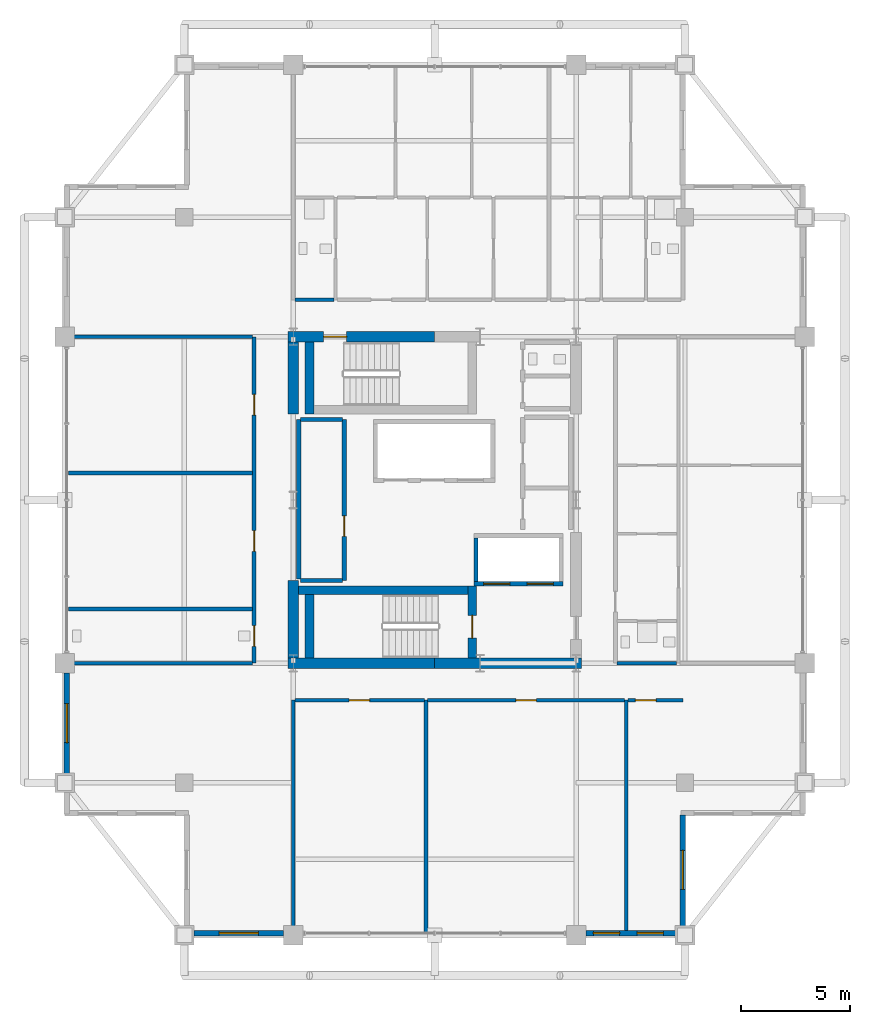
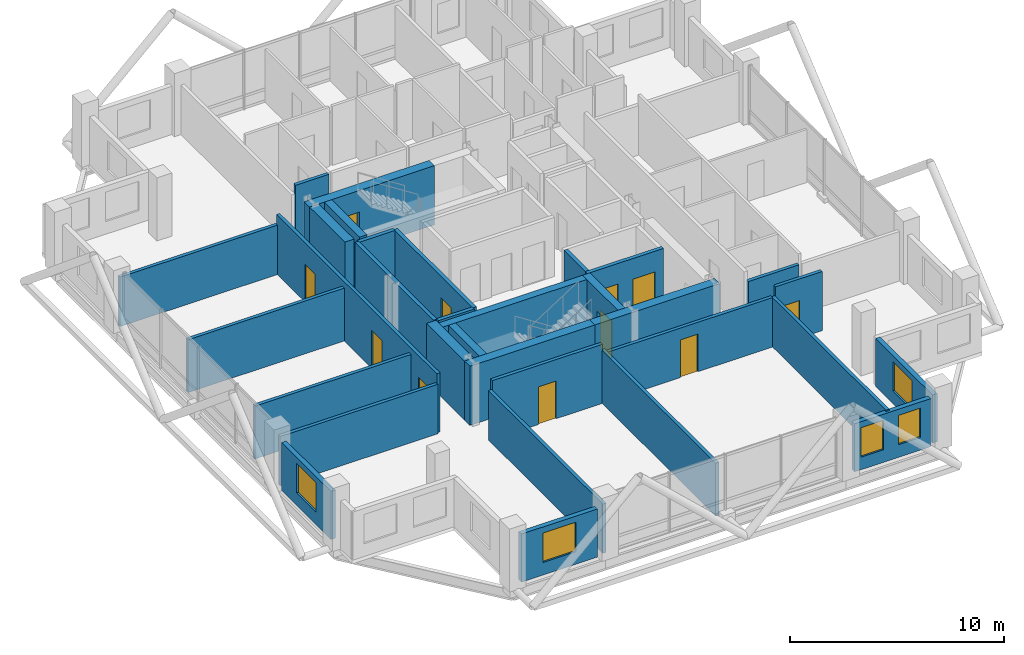
# One storey, part 19 of 24: 32 walls, 11 doors, 5 windows, 16 openings.
"""IFC4 building model written with IfcOpenShell, lengths in metres."""

import ifcopenshell
import ifcopenshell.guid

model = None  # the IFC model being written
_history = None  # IfcOwnerHistory: only IFC2X3 demands one
_inside = {}  # id of a spatial element -> (the spatial element, [elements in it])
_under = {}  # id of a project, library or spatial element -> (it, [spatial elements below it])
_declared = {}  # id of a project -> (the project, [libraries it declares])
_typed = {}  # id of a type object -> (the type object, [elements of that type])
_made_of = {}  # id of a material, layer set ... -> (it, [elements and type objects made of it])


def new_model(schema):
    """Start an empty IFC model of exactly this schema.

    Asked for "IFC4X3", IfcOpenShell would pick the latest addendum, in which some entities
    have other attributes; the version numbers below select the first issue.
    IFC2X3 requires an IfcOwnerHistory on every rooted entity: one is made here for all.
    """
    global model, _history
    if schema == "IFC4X3":
        model = ifcopenshell.file(schema_version=(4, 3, 0, 0))
    else:
        model = ifcopenshell.file(schema=schema)
    _inside.clear()
    _under.clear()
    _declared.clear()
    _typed.clear()
    _made_of.clear()
    _history = None
    if model.schema == "IFC2X3":
        org = make("IfcOrganization", Name="unknown")
        user = make(
            "IfcPersonAndOrganization",
            ThePerson=make("IfcPerson", FamilyName="unknown"),
            TheOrganization=org,
        )
        app = make(
            "IfcApplication",
            ApplicationDeveloper=org,
            Version="unknown",
            ApplicationFullName="unknown",
            ApplicationIdentifier="unknown",
        )
        _history = make(
            "IfcOwnerHistory",
            OwningUser=user,
            OwningApplication=app,
            ChangeAction="ADDED",
            CreationDate=0,
        )
    return model


def make(cls, **values):
    """One entity of the class cls with the attributes given. An attribute that is None is left unset."""
    return model.create_entity(
        cls, **{name: value for name, value in values.items() if value is not None}
    )


def rooted(cls, **values):
    """An entity with a GlobalId (a new one), such as an element, a storey or a relation."""
    return make(cls, GlobalId=ifcopenshell.guid.new(), OwnerHistory=_history, **values)


def si_unit(unit_type, name, prefix=None):
    """IfcSIUnit, for example si_unit("LENGTHUNIT", "METRE", prefix="MILLI")."""
    return make("IfcSIUnit", UnitType=unit_type, Prefix=prefix, Name=name)


def assignment(units):
    """IfcUnitAssignment: the units of a project."""
    return None if units is None else make("IfcUnitAssignment", Units=units)


def point(xyz):
    """IfcCartesianPoint."""
    return None if xyz is None else make("IfcCartesianPoint", Coordinates=xyz)


def direction(xyz):
    """IfcDirection."""
    return None if xyz is None else make("IfcDirection", DirectionRatios=xyz)


def frame(location, z_axis=None, x_axis=None):
    """IfcAxis2Placement3D, a coordinate frame: its origin and axes. An axis left out is left unset."""
    return make(
        "IfcAxis2Placement3D",
        Location=point(location),
        Axis=direction(z_axis),
        RefDirection=direction(x_axis),
    )


def frame_2d(location, x_axis=None):
    """IfcAxis2Placement2D, a coordinate frame in the plane: its origin and x axis."""
    return make(
        "IfcAxis2Placement2D", Location=point(location), RefDirection=direction(x_axis)
    )


def origin():
    """The frame at (0, 0, 0) with its axes left unset."""
    return frame((0.0, 0.0, 0.0))


def place(relative_to, where):
    """IfcLocalPlacement: puts the frame where relative to a parent placement (None: the world)."""
    return make(
        "IfcLocalPlacement", PlacementRelTo=relative_to, RelativePlacement=where
    )


def context(
    kind, dimensions, precision=None, world=None, true_north=None, identifier=None
):
    """IfcGeometricRepresentationContext, for example the 3D "Model" context."""
    return make(
        "IfcGeometricRepresentationContext",
        ContextIdentifier=identifier,
        ContextType=kind,
        CoordinateSpaceDimension=dimensions,
        Precision=precision,
        WorldCoordinateSystem=world,
        TrueNorth=true_north,
    )


def subcontext(parent, identifier, kind, view, scale=None):
    """IfcGeometricRepresentationSubContext, for example "Body" below "Model"."""
    return make(
        "IfcGeometricRepresentationSubContext",
        ContextIdentifier=identifier,
        ContextType=kind,
        ParentContext=parent,
        TargetScale=scale,
        TargetView=view,
    )


def project(units=None, contexts=None):
    """IfcProject with its units and contexts."""
    return rooted(
        "IfcProject",
        Name="project",
        RepresentationContexts=contexts,
        UnitsInContext=assignment(units),
    )


def spatial(cls, under=None, at=None, **own):
    """A site, building, storey or space (cls), placed at a placement, below another one or the project."""
    s = rooted(cls, ObjectPlacement=at, **own)
    if under is not None:
        _under.setdefault(under.id(), (under, []))[1].append(s)
    return s


def profile(cls, at=None, kind="AREA", **sizes):
    """A parametric profile (cls). Its sizes go by their IFC names, for example OverallWidth=200.0."""
    return make(cls, ProfileType=kind, Position=at, **sizes)


def rectangle(**sizes):
    """IfcRectangleProfileDef."""
    return profile("IfcRectangleProfileDef", **sizes)


def extrude(swept, where, along, depth):
    """IfcExtrudedAreaSolid: the profile swept, set in the frame where, extruded along a direction by depth."""
    return make(
        "IfcExtrudedAreaSolid",
        SweptArea=swept,
        Position=where,
        ExtrudedDirection=direction(along),
        Depth=depth,
    )


def shape(context_of_items, identifier, shape_type, items):
    """IfcShapeRepresentation: the items that make up one representation, for example the "Body"."""
    return make(
        "IfcShapeRepresentation",
        ContextOfItems=context_of_items,
        RepresentationIdentifier=identifier,
        RepresentationType=shape_type,
        Items=items,
    )


def material(Name=None, Category=None):
    """IfcMaterial."""
    return make("IfcMaterial", Name=Name, Category=Category)


def layer(
    of_material, thickness, ventilated=None, Name=None, Category=None, Priority=None
):
    """IfcMaterialLayer: one layer of a wall or slab, of a material (None: an air gap)."""
    return make(
        "IfcMaterialLayer",
        Material=of_material,
        LayerThickness=thickness,
        IsVentilated=ventilated,
        Name=Name,
        Category=Category,
        Priority=Priority,
    )


def layer_set(layers, Name=None):
    """IfcMaterialLayerSet."""
    return make("IfcMaterialLayerSet", MaterialLayers=layers, LayerSetName=Name)


def made_of(thing, what):
    """Note that an element or type object is made of a material, layer set ...; save() writes the relation."""
    if what is not None:
        _made_of.setdefault(what.id(), (what, []))[1].append(thing)
    return thing


def type_object(cls, material=None, **own):
    """A type object (cls), such as IfcWallType, which elements share."""
    return made_of(rooted(cls, **own), material)


def element(
    cls,
    number,
    at=None,
    inside=None,
    cuts=None,
    type_object=None,
    material=None,
    context=None,
    identifier="Body",
    shape_type=None,
    held_by="IfcProductDefinitionShape",
    body=None,
    shapes=None,
    **own,
):
    """One element of the class cls, such as IfcWall. Its Tag is "e" and its number.

    at: its placement. inside: the storey or other place that contains it. cuts: it is an
    opening in that element (IfcRelVoidsElement). A single representation is given by context,
    identifier, shape_type and body (its items); several are given by shapes. held_by: the class
    of the entity that holds the representations. save() writes the other relations.
    """
    e = rooted(cls, Tag="e%d" % number, ObjectPlacement=at, **own)
    if body is not None:
        shapes = [shape(context, identifier, shape_type, body)]
    if shapes is not None:
        e.Representation = make(held_by, Representations=shapes)
    if inside is not None:
        _inside.setdefault(inside.id(), (inside, []))[1].append(e)
    if cuts is not None:
        rooted(
            "IfcRelVoidsElement", RelatingBuildingElement=cuts, RelatedOpeningElement=e
        )
    if type_object is not None:
        _typed.setdefault(type_object.id(), (type_object, []))[1].append(e)
    return made_of(e, material)


def fill(opening, filler):
    """IfcRelFillsElement: the door or window that sits in an opening."""
    return rooted(
        "IfcRelFillsElement",
        RelatingOpeningElement=opening,
        RelatedBuildingElement=filler,
    )


def aggregate(whole, parts):
    """IfcRelAggregates: a whole, such as a stair, and the parts it consists of."""
    return rooted("IfcRelAggregates", RelatingObject=whole, RelatedObjects=parts)


def save(model, path):
    """Write the relations noted so far, then the file.

    IfcRelAggregates (storeys below a building ...), IfcRelContainedInSpatialStructure (elements
    in a storey), IfcRelDefinesByType, IfcRelAssociatesMaterial and IfcRelDeclares: one each for
    every whole, place, type object, material and project.
    """
    for whole, parts in _under.values():
        aggregate(whole, parts)
    for where, things in _inside.values():
        rooted(
            "IfcRelContainedInSpatialStructure",
            RelatedElements=things,
            RelatingStructure=where,
        )
    for kind, things in _typed.values():
        rooted("IfcRelDefinesByType", RelatedObjects=things, RelatingType=kind)
    for what, things in _made_of.values():
        rooted("IfcRelAssociatesMaterial", RelatedObjects=things, RelatingMaterial=what)
    for by, libraries in _declared.values():
        rooted("IfcRelDeclares", RelatingContext=by, RelatedDefinitions=libraries)
    model.write(path)


model = new_model("IFC4")

# Units and contexts
model_context = context("Model", 3, precision=1e-05, world=origin(), true_north=direction((0.0, 1.0)))
body_context = subcontext(model_context, "Body", "Model", "MODEL_VIEW")
ifc_project = project(units=[si_unit("LENGTHUNIT", "METRE"), si_unit("AREAUNIT", "SQUARE_METRE"), si_unit("VOLUMEUNIT", "CUBIC_METRE"), si_unit("PLANEANGLEUNIT", "RADIAN"), si_unit("MASSUNIT", "GRAM", prefix="KILO")], contexts=[model_context])

# Site, building, storey
site_placement = place(None, origin())
site = spatial("IfcSite", under=ifc_project, at=site_placement, CompositionType="ELEMENT")
building_placement = place(site_placement, origin())
building = spatial("IfcBuilding", under=site, at=building_placement, Name="Barlavira Tower and Art Museum", CompositionType="ELEMENT")
storey_placement = place(building_placement, frame((0.0, 0.0, 283.5)))
storey = spatial("IfcBuildingStorey", under=building, at=storey_placement, Name="L74", CompositionType="ELEMENT", Elevation=283.5)

# Walls
ifc_material_1 = material(Name="Concrete C60", Category="concrete")
ifc_layer_1 = layer(ifc_material_1, 0.5, Name="Concrete C60")
ifc_layer_set_1 = layer_set([ifc_layer_1], Name="Concrete C60")
wall_type_1 = type_object("IfcWallType", Name="Core Structural Shear Wall 500 Concrete C60", PredefinedType="SHEAR", material=ifc_layer_set_1)
for number, where, z_axis, x_axis, name in (
    (1, (-6.75, -7.5, 0.0), (0.0, 0.0, 1.0), (1.0, 0.0, 0.0), "L74 Core Shear Wall CS-SW"),
    (2, (0.0, -7.5, 0.0), (0.0, 0.0, 1.0), (1.0, 0.0, 0.0), "L74 Core Shear Wall CS-SE"),
):
    element("IfcWall", number, at=place(storey_placement, frame(where, z_axis=z_axis, x_axis=x_axis)), inside=storey, type_object=wall_type_1, Name=name, PredefinedType="SHEAR", context=body_context, shape_type="SweptSolid", body=[
        extrude(rectangle(XDim=6.75, YDim=0.5, at=frame_2d((3.375, 0.0))), origin(), (0.0, 0.0, 1.0), 3.3798828125),
    ])

# Wall, opening, door
wall_1_placement = place(storey_placement, frame((-6.75, 7.5, 0.0), z_axis=(0.0, 0.0, 1.0), x_axis=(1.0, 0.0, 0.0)))
wall_1 = element("IfcWall", 3, at=wall_1_placement, inside=storey, type_object=wall_type_1, Name="L74 Core Shear Wall CS-NW", PredefinedType="SHEAR", context=body_context, shape_type="SweptSolid", body=[
    extrude(rectangle(XDim=6.75, YDim=0.5, at=frame_2d((3.375, 0.0))), origin(), (0.0, 0.0, 1.0), 3.3798828125),
])
opening_1_placement = place(wall_1_placement, frame((1.64990234375, 0.0, 0.0)))
opening_1 = element("IfcOpeningElement", 4, at=opening_1_placement, cuts=wall_1, Name="Opening FD-90", PredefinedType="OPENING", context=body_context, shape_type="SweptSolid", body=[
    extrude(rectangle(XDim=1.050048828125, YDim=2.14990234375, at=frame_2d((0.52490234375, 1.074951171875))), frame((0.0, 0.260009765625, 0.0), z_axis=(0.0, -1.0, 0.0), x_axis=(1.0, 0.0, 0.0)), (0.0, 0.0, 1.0), 0.52001953125),
])
ifc_material_2 = material(Name="Brushed stainless steel", Category="steel")
door_type_1 = type_object("IfcDoorType", Name="Stair and Refuge Fire Door 1050x2150 FD90S", OperationType="NOTDEFINED", PredefinedType="DOOR", material=ifc_material_2)
door_1_placement = place(opening_1_placement, origin())
door_1 = element("IfcDoor", 5, at=door_1_placement, inside=storey, type_object=door_type_1, Name="L74 Stair ST-T2 Fire Door", OperationType="SINGLE_SWING_LEFT", OverallHeight=2.14990234375, OverallWidth=1.050048828125, PredefinedType="DOOR", context=body_context, shape_type="SweptSolid", body=[
    extrude(rectangle(XDim=1.050048828125, YDim=2.14990234375, at=frame_2d((0.52490234375, 1.074951171875))), frame((0.0, 0.02490234375, 0.0), z_axis=(0.0, -1.0, 0.0), x_axis=(1.0, 0.0, 0.0)), (0.0, 0.0, 1.0), 0.050048828125),
])
fill(opening_1, door_1)

# Walls
wall_2_placement = place(storey_placement, frame((-6.5, -7.25, 0.0), z_axis=(0.0, 0.0, 1.0), x_axis=(0.0, 1.0, 0.0)))
element("IfcWall", 6, at=wall_2_placement, inside=storey, type_object=wall_type_1, Name="L74 Core Shear Wall CS-W1", PredefinedType="SHEAR", context=body_context, shape_type="SweptSolid", body=[
    extrude(rectangle(XDim=3.550048828125, YDim=0.5, at=frame_2d((1.77490234375, 0.0))), origin(), (0.0, 0.0, 1.0), 3.3798828125),
])
wall_3_placement = place(storey_placement, frame((-6.5, 3.949951171875, 0.0), z_axis=(0.0, 0.0, 1.0), x_axis=(0.0, 1.0, 0.0)))
element("IfcWall", 7, at=wall_3_placement, inside=storey, type_object=wall_type_1, Name="L74 Core Shear Wall CS-W2", PredefinedType="SHEAR", context=body_context, shape_type="SweptSolid", body=[
    extrude(rectangle(XDim=3.300048828125, YDim=0.5, at=frame_2d((1.64990234375, 0.0))), origin(), (0.0, 0.0, 1.0), 3.3798828125),
])

# Wall, openings, doors
ifc_material_3 = material(Name="Autoclaved aerated concrete masonry", Category="masonry")
ifc_layer_2 = layer(ifc_material_3, 0.199951171875, Name="Autoclaved aerated concrete masonry")
ifc_layer_set_2 = layer_set([ifc_layer_2], Name="Autoclaved aerated concrete masonry")
wall_type_2 = type_object("IfcWallType", Name="Fire Compartment and Shaft Wall 200", PredefinedType="SOLIDWALL", material=ifc_layer_set_2)
wall_4_placement = place(storey_placement, frame((1.800048828125, -3.85009765625, 0.0), z_axis=(0.0, 0.0, 1.0), x_axis=(1.0, 0.0, 0.0)))
wall_4 = element("IfcWall", 8, at=wall_4_placement, inside=storey, type_object=wall_type_2, Name="L74 Firefighting Lift Front Shaft Wall", PredefinedType="SOLIDWALL", context=body_context, shape_type="SweptSolid", body=[
    extrude(rectangle(XDim=4.099853515625, YDim=0.199951171875, at=frame_2d((2.0498046875, 0.0))), origin(), (0.0, 0.0, 1.0), 3.3798828125),
])
opening_2_placement = place(wall_4_placement, frame((0.449951171875, 0.0, 0.0)))
opening_2 = element("IfcOpeningElement", 9, at=opening_2_placement, cuts=wall_4, Name="Opening LD-F", PredefinedType="OPENING", context=body_context, shape_type="SweptSolid", body=[
    extrude(rectangle(XDim=1.199951171875, YDim=2.199951171875, at=frame_2d((0.60009765625, 1.10009765625))), frame((0.0, 0.10986328125, 0.0), z_axis=(0.0, -1.0, 0.0), x_axis=(1.0, 0.0, 0.0)), (0.0, 0.0, 1.0), 0.219970703125),
])
opening_3_placement = place(wall_4_placement, frame((2.449951171875, 0.0, 0.0)))
opening_3 = element("IfcOpeningElement", 10, at=opening_3_placement, cuts=wall_4, Name="Opening LD-F", PredefinedType="OPENING", context=body_context, shape_type="SweptSolid", body=[
    extrude(rectangle(XDim=1.199951171875, YDim=2.199951171875, at=frame_2d((0.60009765625, 1.10009765625))), frame((0.0, 0.10986328125, 0.0), z_axis=(0.0, -1.0, 0.0), x_axis=(1.0, 0.0, 0.0)), (0.0, 0.0, 1.0), 0.219970703125),
])
door_type_2 = type_object("IfcDoorType", Name="Firefighting and Service Lift Sliding Door 1200x2200 FD120", OperationType="NOTDEFINED", PredefinedType="DOOR", material=ifc_material_2)
door_2_placement = place(opening_2_placement, origin())
door_2 = element("IfcDoor", 11, at=door_2_placement, inside=storey, type_object=door_type_2, Name="L74 Firefighting Lift FF1 Sliding Door", OperationType="DOUBLE_DOOR_SLIDING", OverallHeight=2.199951171875, OverallWidth=1.199951171875, PredefinedType="DOOR", context=body_context, shape_type="SweptSolid", body=[
    extrude(rectangle(XDim=1.199951171875, YDim=2.199951171875, at=frame_2d((0.60009765625, 1.10009765625))), frame((0.0, 0.02490234375, 0.0), z_axis=(0.0, -1.0, 0.0), x_axis=(1.0, 0.0, 0.0)), (0.0, 0.0, 1.0), 0.050048828125),
])
fill(opening_2, door_2)
door_3_placement = place(opening_3_placement, origin())
door_3 = element("IfcDoor", 12, at=door_3_placement, inside=storey, type_object=door_type_2, Name="L74 Firefighting Lift FF2 Sliding Door", OperationType="DOUBLE_DOOR_SLIDING", OverallHeight=2.199951171875, OverallWidth=1.199951171875, PredefinedType="DOOR", context=body_context, shape_type="SweptSolid", body=[
    extrude(rectangle(XDim=1.199951171875, YDim=2.199951171875, at=frame_2d((0.60009765625, 1.10009765625))), frame((0.0, 0.02490234375, 0.0), z_axis=(0.0, -1.0, 0.0), x_axis=(1.0, 0.0, 0.0)), (0.0, 0.0, 1.0), 0.050048828125),
])
fill(opening_3, door_3)

# Walls
wall_5_placement = place(storey_placement, frame((1.89990234375, -3.75, 0.0), z_axis=(0.0, 0.0, 1.0), x_axis=(0.0, 1.0, 0.0)))
element("IfcWall", 13, at=wall_5_placement, inside=storey, type_object=wall_type_2, Name="L74 Firefighting Lift West Shaft Wall", PredefinedType="SOLIDWALL", context=body_context, shape_type="SweptSolid", body=[
    extrude(rectangle(XDim=2.0, YDim=0.199951171875, at=frame_2d((1.0, 0.0))), origin(), (0.0, 0.0, 1.0), 3.3798828125),
])
wall_6_placement = place(storey_placement, frame((-6.25, -3.639892578125, 0.0), z_axis=(0.0, 0.0, 1.0), x_axis=(0.0, 1.0, 0.0)))
element("IfcWall", 14, at=wall_6_placement, inside=storey, type_object=wall_type_2, Name="L74 Partition Wall 4", PredefinedType="SOLIDWALL", context=body_context, shape_type="SweptSolid", body=[
    extrude(rectangle(XDim=7.33984375, YDim=0.199951171875, at=frame_2d((3.669921875, 0.0))), origin(), (0.0, 0.0, 1.0), 3.3798828125),
])

# Wall, opening, door
wall_7_placement = place(storey_placement, frame((-4.14990234375, -3.699951171875, 0.0), z_axis=(0.0, 0.0, 1.0), x_axis=(0.0, 1.0, 0.0)))
wall_7 = element("IfcWall", 15, at=wall_7_placement, inside=storey, type_object=wall_type_2, Name="L74 Partition Wall 6", PredefinedType="SOLIDWALL", context=body_context, shape_type="SweptSolid", body=[
    extrude(rectangle(XDim=7.39990234375, YDim=0.199951171875, at=frame_2d((3.699951171875, 0.0))), origin(), (0.0, 0.0, 1.0), 3.3798828125),
])
opening_4_placement = place(wall_7_placement, frame((2.02490234375, 0.0, 0.0)))
opening_4 = element("IfcOpeningElement", 16, at=opening_4_placement, cuts=wall_7, Name="Opening FD-60", PredefinedType="OPENING", context=body_context, shape_type="SweptSolid", body=[
    extrude(rectangle(XDim=0.949951171875, YDim=2.14990234375, at=frame_2d((0.47509765625, 1.074951171875))), frame((0.0, 0.10986328125, 0.0), z_axis=(0.0, -1.0, 0.0), x_axis=(1.0, 0.0, 0.0)), (0.0, 0.0, 1.0), 0.219970703125),
])
door_type_3 = type_object("IfcDoorType", Name="Apartment Entrance and Riser Fire Door 950x2150 FD60S", OperationType="NOTDEFINED", PredefinedType="DOOR", material=ifc_material_2)
door_4_placement = place(opening_4_placement, origin())
door_4 = element("IfcDoor", 17, at=door_4_placement, inside=storey, type_object=door_type_3, Name="Reclaimed Core Tenant Storage Vault Door", OperationType="SINGLE_SWING_RIGHT", OverallHeight=2.14990234375, OverallWidth=0.949951171875, PredefinedType="DOOR", context=body_context, shape_type="SweptSolid", body=[
    extrude(rectangle(XDim=0.949951171875, YDim=2.14990234375, at=frame_2d((0.47509765625, 1.074951171875))), frame((0.0, 0.02490234375, 0.0), z_axis=(0.0, -1.0, 0.0), x_axis=(1.0, 0.0, 0.0)), (0.0, 0.0, 1.0), 0.050048828125),
])
fill(opening_4, door_4)

# Walls
for number, where, z_axis, x_axis, name in (
    (18, (-6.169921875, -3.699951171875, 0.0), (0.0, 0.0, 1.0), (1.0, 0.0, 0.0), "L74 Partition Wall 31"),
    (19, (-6.169921875, 3.699951171875, 0.0), (0.0, 0.0, 1.0), (1.0, 0.0, 0.0), "L74 Partition Wall 37"),
):
    element("IfcWall", number, at=place(storey_placement, frame(where, z_axis=z_axis, x_axis=x_axis)), inside=storey, type_object=wall_type_2, Name=name, PredefinedType="SOLIDWALL", context=body_context, shape_type="SweptSolid", body=[
        extrude(rectangle(XDim=1.93994140625, YDim=0.199951171875, at=frame_2d((0.969970703125, 0.0))), origin(), (0.0, 0.0, 1.0), 3.3798828125),
    ])

# Wall, openings, doors
ifc_material_4 = material(Name="Gypsum acoustic stud partition", Category="gypsum")
ifc_layer_3 = layer(ifc_material_4, 0.179931640625, Name="Gypsum acoustic stud partition")
ifc_layer_set_3 = layer_set([ifc_layer_3], Name="Gypsum acoustic stud partition")
wall_type_3 = type_object("IfcWallType", Name="Inter-Tenancy Party Partition Wall 180", PredefinedType="PARTITIONING", material=ifc_layer_set_3)
wall_8_placement = place(storey_placement, frame((-8.300048828125, -7.5, 0.0), z_axis=(0.0, 0.0, 1.0), x_axis=(0.0, 1.0, 0.0)))
wall_8 = element("IfcWall", 20, at=wall_8_placement, inside=storey, type_object=wall_type_3, Name="L74 Partition Wall 1", PredefinedType="PARTITIONING", context=body_context, shape_type="SweptSolid", body=[
    extrude(rectangle(XDim=15.0, YDim=0.179931640625, at=frame_2d((7.5, 0.0))), origin(), (0.0, 0.0, 1.0), 3.3798828125),
])
opening_5_placement = place(wall_8_placement, frame((0.77490234375, 0.0, 0.0)))
opening_5 = element("IfcOpeningElement", 21, at=opening_5_placement, cuts=wall_8, Name="Opening FD-60", PredefinedType="OPENING", context=body_context, shape_type="SweptSolid", body=[
    extrude(rectangle(XDim=0.949951171875, YDim=2.14990234375, at=frame_2d((0.47509765625, 1.074951171875))), frame((0.0, 0.10009765625, 0.0), z_axis=(0.0, -1.0, 0.0), x_axis=(1.0, 0.0, 0.0)), (0.0, 0.0, 1.0), 0.199951171875),
])
opening_6_placement = place(wall_8_placement, frame((5.14501953125, 0.0, 0.0)))
opening_6 = element("IfcOpeningElement", 22, at=opening_6_placement, cuts=wall_8, Name="Opening FD-60", PredefinedType="OPENING", context=body_context, shape_type="SweptSolid", body=[
    extrude(rectangle(XDim=0.949951171875, YDim=2.14990234375, at=frame_2d((0.47509765625, 1.074951171875))), frame((0.0, 0.10009765625, 0.0), z_axis=(0.0, -1.0, 0.0), x_axis=(1.0, 0.0, 0.0)), (0.0, 0.0, 1.0), 0.199951171875),
])
opening_7_placement = place(wall_8_placement, frame((11.405029296875, 0.0, 0.0)))
opening_7 = element("IfcOpeningElement", 23, at=opening_7_placement, cuts=wall_8, Name="Opening FD-60", PredefinedType="OPENING", context=body_context, shape_type="SweptSolid", body=[
    extrude(rectangle(XDim=0.949951171875, YDim=2.14990234375, at=frame_2d((0.47509765625, 1.074951171875))), frame((0.0, 0.10009765625, 0.0), z_axis=(0.0, -1.0, 0.0), x_axis=(1.0, 0.0, 0.0)), (0.0, 0.0, 1.0), 0.199951171875),
])
door_5_placement = place(opening_5_placement, origin())
door_5 = element("IfcDoor", 24, at=door_5_placement, inside=storey, type_object=door_type_3, Name="Wellness Changing and Accessible Shower WC Door", OperationType="SINGLE_SWING_RIGHT", OverallHeight=2.14990234375, OverallWidth=0.949951171875, PredefinedType="DOOR", context=body_context, shape_type="SweptSolid", body=[
    extrude(rectangle(XDim=0.949951171875, YDim=2.14990234375, at=frame_2d((0.47509765625, 1.074951171875))), frame((0.0, 0.02490234375, 0.0), z_axis=(0.0, -1.0, 0.0), x_axis=(1.0, 0.0, 0.0)), (0.0, 0.0, 1.0), 0.050048828125),
])
fill(opening_5, door_5)
door_6_placement = place(opening_6_placement, origin())
door_6 = element("IfcDoor", 25, at=door_6_placement, inside=storey, type_object=door_type_3, Name="Resident Ocean-View Fitness Studio Door", OperationType="SINGLE_SWING_LEFT", OverallHeight=2.14990234375, OverallWidth=0.949951171875, PredefinedType="DOOR", context=body_context, shape_type="SweptSolid", body=[
    extrude(rectangle(XDim=0.949951171875, YDim=2.14990234375, at=frame_2d((0.47509765625, 1.074951171875))), frame((0.0, 0.02490234375, 0.0), z_axis=(0.0, -1.0, 0.0), x_axis=(1.0, 0.0, 0.0)), (0.0, 0.0, 1.0), 0.050048828125),
])
fill(opening_6, door_6)
door_7_placement = place(opening_7_placement, origin())
door_7 = element("IfcDoor", 26, at=door_7_placement, inside=storey, type_object=door_type_3, Name="Coastal Hydrotherapy and Yoga Lounge Door", OperationType="SINGLE_SWING_RIGHT", OverallHeight=2.14990234375, OverallWidth=0.949951171875, PredefinedType="DOOR", context=body_context, shape_type="SweptSolid", body=[
    extrude(rectangle(XDim=0.949951171875, YDim=2.14990234375, at=frame_2d((0.47509765625, 1.074951171875))), frame((0.0, 0.02490234375, 0.0), z_axis=(0.0, -1.0, 0.0), x_axis=(1.0, 0.0, 0.0)), (0.0, 0.0, 1.0), 0.050048828125),
])
fill(opening_7, door_7)

# Walls
wall_9_placement = place(storey_placement, frame((-6.5, -19.89990234375, 0.0), z_axis=(0.0, 0.0, 1.0), x_axis=(0.0, 1.0, 0.0)))
element("IfcWall", 27, at=wall_9_placement, inside=storey, type_object=wall_type_3, Name="L74 Partition Wall 2", PredefinedType="PARTITIONING", context=body_context, shape_type="SweptSolid", body=[
    extrude(rectangle(XDim=10.699951171875, YDim=0.179931640625, at=frame_2d((5.35009765625, 0.0))), origin(), (0.0, 0.0, 1.0), 2.825927734375),
])
wall_10_placement = place(storey_placement, frame((-0.39990234375, -19.89990234375, 0.0), z_axis=(0.0, 0.0, 1.0), x_axis=(0.0, 1.0, 0.0)))
element("IfcWall", 28, at=wall_10_placement, inside=storey, type_object=wall_type_3, Name="L74 Partition Wall 8", PredefinedType="PARTITIONING", context=body_context, shape_type="SweptSolid", body=[
    extrude(rectangle(XDim=10.699951171875, YDim=0.179931640625, at=frame_2d((5.35009765625, 0.0))), origin(), (0.0, 0.0, 1.0), 3.01806640625),
])
wall_11_placement = place(storey_placement, frame((8.800048828125, -19.89990234375, 0.0), z_axis=(0.0, 0.0, 1.0), x_axis=(0.0, 1.0, 0.0)))
element("IfcWall", 29, at=wall_11_placement, inside=storey, type_object=wall_type_3, Name="L74 Partition Wall 18", PredefinedType="PARTITIONING", context=body_context, shape_type="SweptSolid", body=[
    extrude(rectangle(XDim=10.699951171875, YDim=0.179931640625, at=frame_2d((5.35009765625, 0.0))), origin(), (0.0, 0.0, 1.0), 2.825927734375),
])

# Wall, opening, door
wall_12_placement = place(storey_placement, frame((-6.419921875, -9.199951171875, 0.0), z_axis=(0.0, 0.0, 1.0), x_axis=(1.0, 0.0, 0.0)))
wall_12 = element("IfcWall", 30, at=wall_12_placement, inside=storey, type_object=wall_type_3, Name="L74 Partition Wall 23", PredefinedType="PARTITIONING", context=body_context, shape_type="SweptSolid", body=[
    extrude(rectangle(XDim=5.93994140625, YDim=0.179931640625, at=frame_2d((2.969970703125, 0.0))), origin(), (0.0, 0.0, 1.0), 3.3798828125),
])
opening_8_placement = place(wall_12_placement, frame((2.485107421875, 0.0, 0.0)))
opening_8 = element("IfcOpeningElement", 31, at=opening_8_placement, cuts=wall_12, Name="Opening FD-60", PredefinedType="OPENING", context=body_context, shape_type="SweptSolid", body=[
    extrude(rectangle(XDim=0.949951171875, YDim=2.14990234375, at=frame_2d((0.47509765625, 1.074951171875))), frame((0.0, 0.10009765625, 0.0), z_axis=(0.0, -1.0, 0.0), x_axis=(1.0, 0.0, 0.0)), (0.0, 0.0, 1.0), 0.199951171875),
])
door_8_placement = place(opening_8_placement, origin())
door_8 = element("IfcDoor", 32, at=door_8_placement, inside=storey, type_object=door_type_3, Name="Resident Rare-Book Reading Room Door", OperationType="SINGLE_SWING_LEFT", OverallHeight=2.14990234375, OverallWidth=0.949951171875, PredefinedType="DOOR", context=body_context, shape_type="SweptSolid", body=[
    extrude(rectangle(XDim=0.949951171875, YDim=2.14990234375, at=frame_2d((0.47509765625, 1.074951171875))), frame((0.0, 0.02490234375, 0.0), z_axis=(0.0, -1.0, 0.0), x_axis=(1.0, 0.0, 0.0)), (0.0, 0.0, 1.0), 0.050048828125),
])
fill(opening_8, door_8)

wall_13_placement = place(storey_placement, frame((-0.320068359375, -9.199951171875, 0.0), z_axis=(0.0, 0.0, 1.0), x_axis=(1.0, 0.0, 0.0)))
wall_13 = element("IfcWall", 33, at=wall_13_placement, inside=storey, type_object=wall_type_3, Name="L74 Partition Wall 24", PredefinedType="PARTITIONING", context=body_context, shape_type="SweptSolid", body=[
    extrude(rectangle(XDim=9.0400390625, YDim=0.179931640625, at=frame_2d((4.52001953125, 0.0))), origin(), (0.0, 0.0, 1.0), 2.825927734375),
])
opening_9_placement = place(wall_13_placement, frame((4.044921875, 0.0, 0.0)))
opening_9 = element("IfcOpeningElement", 34, at=opening_9_placement, cuts=wall_13, Name="Opening FD-60", PredefinedType="OPENING", context=body_context, shape_type="SweptSolid", body=[
    extrude(rectangle(XDim=0.949951171875, YDim=2.14990234375, at=frame_2d((0.47509765625, 1.074951171875))), frame((0.0, 0.10009765625, 0.0), z_axis=(0.0, -1.0, 0.0), x_axis=(1.0, 0.0, 0.0)), (0.0, 0.0, 1.0), 0.199951171875),
])
door_9_placement = place(opening_9_placement, origin())
door_9 = element("IfcDoor", 35, at=door_9_placement, inside=storey, type_object=door_type_3, Name="Private Coastal Dining Salon Door", OperationType="SINGLE_SWING_RIGHT", OverallHeight=2.14990234375, OverallWidth=0.949951171875, PredefinedType="DOOR", context=body_context, shape_type="SweptSolid", body=[
    extrude(rectangle(XDim=0.949951171875, YDim=2.14990234375, at=frame_2d((0.47509765625, 1.074951171875))), frame((0.0, 0.02490234375, 0.0), z_axis=(0.0, -1.0, 0.0), x_axis=(1.0, 0.0, 0.0)), (0.0, 0.0, 1.0), 0.050048828125),
])
fill(opening_9, door_9)

wall_14_placement = place(storey_placement, frame((8.8798828125, -9.199951171875, 0.0), z_axis=(0.0, 0.0, 1.0), x_axis=(1.0, 0.0, 0.0)))
wall_14 = element("IfcWall", 36, at=wall_14_placement, inside=storey, type_object=wall_type_3, Name="L74 Partition Wall 25", PredefinedType="PARTITIONING", context=body_context, shape_type="SweptSolid", body=[
    extrude(rectangle(XDim=2.52001953125, YDim=0.179931640625, at=frame_2d((1.260009765625, 0.0))), origin(), (0.0, 0.0, 1.0), 3.3798828125),
])
opening_10_placement = place(wall_14_placement, frame((0.344970703125, 0.0, 0.0)))
opening_10 = element("IfcOpeningElement", 37, at=opening_10_placement, cuts=wall_14, Name="Opening FD-60", PredefinedType="OPENING", context=body_context, shape_type="SweptSolid", body=[
    extrude(rectangle(XDim=0.949951171875, YDim=2.14990234375, at=frame_2d((0.47509765625, 1.074951171875))), frame((0.0, 0.10009765625, 0.0), z_axis=(0.0, -1.0, 0.0), x_axis=(1.0, 0.0, 0.0)), (0.0, 0.0, 1.0), 0.199951171875),
])
door_10_placement = place(opening_10_placement, origin())
door_10 = element("IfcDoor", 38, at=door_10_placement, inside=storey, type_object=door_type_3, Name="Shared Catering Kitchen Door", OperationType="SINGLE_SWING_LEFT", OverallHeight=2.14990234375, OverallWidth=0.949951171875, PredefinedType="DOOR", context=body_context, shape_type="SweptSolid", body=[
    extrude(rectangle(XDim=0.949951171875, YDim=2.14990234375, at=frame_2d((0.47509765625, 1.074951171875))), frame((0.0, 0.02490234375, 0.0), z_axis=(0.0, -1.0, 0.0), x_axis=(1.0, 0.0, 0.0)), (0.0, 0.0, 1.0), 0.050048828125),
])
fill(opening_10, door_10)

# Walls
wall_15_placement = place(storey_placement, frame((-16.89990234375, -7.5, 0.0), z_axis=(0.0, 0.0, 1.0), x_axis=(1.0, 0.0, 0.0)))
element("IfcWall", 39, at=wall_15_placement, inside=storey, type_object=wall_type_3, Name="L74 Partition Wall 26", PredefinedType="PARTITIONING", context=body_context, shape_type="SweptSolid", body=[
    extrude(rectangle(XDim=8.52001953125, YDim=0.179931640625, at=frame_2d((4.260009765625, 0.0))), origin(), (0.0, 0.0, 1.0), 2.825927734375),
])
wall_16_placement = place(storey_placement, frame((8.3798828125, -7.5, 0.0), z_axis=(0.0, 0.0, 1.0), x_axis=(1.0, 0.0, 0.0)))
element("IfcWall", 40, at=wall_16_placement, inside=storey, type_object=wall_type_3, Name="L74 Partition Wall 27", PredefinedType="PARTITIONING", context=body_context, shape_type="SweptSolid", body=[
    extrude(rectangle(XDim=2.740234375, YDim=0.179931640625, at=frame_2d((1.3701171875, 0.0))), origin(), (0.0, 0.0, 1.0), 2.825927734375),
])
for number, where, z_axis, x_axis, name in (
    (41, (-16.820068359375, -5.0, 0.0), (0.0, 0.0, 1.0), (1.0, 0.0, 0.0), "L74 Partition Wall 30"),
    (42, (-16.820068359375, 1.25, 0.0), (0.0, 0.0, 1.0), (1.0, 0.0, 0.0), "L74 Partition Wall 34"),
):
    element("IfcWall", number, at=place(storey_placement, frame(where, z_axis=z_axis, x_axis=x_axis)), inside=storey, type_object=wall_type_3, Name=name, PredefinedType="PARTITIONING", context=body_context, shape_type="SweptSolid", body=[
        extrude(rectangle(XDim=8.440185546875, YDim=0.179931640625, at=frame_2d((4.22021484375, 0.0))), origin(), (0.0, 0.0, 1.0), 3.01806640625),
    ])
wall_17_placement = place(storey_placement, frame((-16.89990234375, 7.5, 0.0), z_axis=(0.0, 0.0, 1.0), x_axis=(1.0, 0.0, 0.0)))
element("IfcWall", 43, at=wall_17_placement, inside=storey, type_object=wall_type_3, Name="L74 Partition Wall 42", PredefinedType="PARTITIONING", context=body_context, shape_type="SweptSolid", body=[
    extrude(rectangle(XDim=8.52001953125, YDim=0.179931640625, at=frame_2d((4.260009765625, 0.0))), origin(), (0.0, 0.0, 1.0), 2.825927734375),
])
wall_18_placement = place(storey_placement, frame((-6.419921875, 9.199951171875, 0.0), z_axis=(0.0, 0.0, 1.0), x_axis=(1.0, 0.0, 0.0)))
element("IfcWall", 44, at=wall_18_placement, inside=storey, type_object=wall_type_3, Name="L74 Partition Wall 45", PredefinedType="PARTITIONING", context=body_context, shape_type="SweptSolid", body=[
    extrude(rectangle(XDim=1.7900390625, YDim=0.179931640625, at=frame_2d((0.89501953125, 0.0))), origin(), (0.0, 0.0, 1.0), 3.3798828125),
])

# Wall, opening, window
ifc_material_5 = material(Name="Precast concrete C40", Category="concrete")
ifc_layer_4 = layer(ifc_material_5, 0.25, Name="Precast concrete C40")
ifc_layer_set_4 = layer_set([ifc_layer_4], Name="Precast concrete C40")
wall_type_4 = type_object("IfcWallType", Name="Notched Corner Spandrel Wall 250 Precast Concrete C40", PredefinedType="SOLIDWALL", material=ifc_layer_set_4)
wall_19_placement = place(storey_placement, frame((-11.054931640625, -19.89990234375, 0.0), z_axis=(0.0, 0.0, 1.0), x_axis=(1.0, 0.0, 0.0)))
wall_19 = element("IfcWall", 45, at=wall_19_placement, inside=storey, type_object=wall_type_4, Name="L74 Coastal Facade Pier Wall CW4-L74-S-1", PredefinedType="SOLIDWALL", context=body_context, shape_type="SweptSolid", body=[
    extrude(rectangle(XDim=4.10986328125, YDim=0.25, at=frame_2d((2.054931640625, 0.0))), origin(), (0.0, 0.0, 1.0), 2.748046875),
])
opening_11_placement = place(wall_19_placement, frame((1.155029296875, 0.0, 0.719970703125)))
opening_11 = element("IfcOpeningElement", 46, at=opening_11_placement, cuts=wall_19, Name="Opening WN-01", PredefinedType="OPENING", context=body_context, shape_type="SweptSolid", body=[
    extrude(rectangle(XDim=1.800048828125, YDim=1.679931640625, at=frame_2d((0.89990234375, 0.83984375))), frame((0.0, 0.135009765625, 0.0), z_axis=(0.0, -1.0, 0.0), x_axis=(1.0, 0.0, 0.0)), (0.0, 0.0, 1.0), 0.27001953125),
])
ifc_material_6 = material(Name="Low-iron coastal laminated glass", Category="glass")
window_type_1 = type_object("IfcWindowType", Name="Recessed Notch Corner Punch Window 1800x1680", PartitioningType="SINGLE_PANEL", PredefinedType="WINDOW", material=ifc_material_6)
window_1_placement = place(opening_11_placement, origin())
window_1 = element("IfcWindow", 47, at=window_1_placement, inside=storey, type_object=window_type_1, Name="L74 Punched Facade Window EWP-CW4-L74-S-1-1", OverallHeight=1.679931640625, OverallWidth=1.800048828125, PartitioningType="SINGLE_PANEL", PredefinedType="WINDOW", context=body_context, shape_type="SweptSolid", body=[
    extrude(rectangle(XDim=1.800048828125, YDim=1.679931640625, at=frame_2d((0.89990234375, 0.83984375))), frame((0.0, 0.030029296875, 0.0), z_axis=(0.0, -1.0, 0.0), x_axis=(1.0, 0.0, 0.0)), (0.0, 0.0, 1.0), 0.06005859375),
])
fill(opening_11, window_1)

# Wall, openings, windows
wall_20_placement = place(storey_placement, frame((6.945068359375, -19.89990234375, 0.0), z_axis=(0.0, 0.0, 1.0), x_axis=(1.0, 0.0, 0.0)))
wall_20 = element("IfcWall", 48, at=wall_20_placement, inside=storey, type_object=wall_type_4, Name="L74 Coastal Facade Pier Wall CW4-L74-S-3", PredefinedType="SOLIDWALL", context=body_context, shape_type="SweptSolid", body=[
    extrude(rectangle(XDim=4.10986328125, YDim=0.25, at=frame_2d((2.054931640625, 0.0))), origin(), (0.0, 0.0, 1.0), 2.748046875),
])
opening_12_placement = place(wall_20_placement, frame((0.35009765625, 0.0, 0.719970703125)))
opening_12 = element("IfcOpeningElement", 49, at=opening_12_placement, cuts=wall_20, Name="Opening WN-05", PredefinedType="OPENING", context=body_context, shape_type="SweptSolid", body=[
    extrude(rectangle(XDim=1.199951171875, YDim=1.679931640625, at=frame_2d((0.60009765625, 0.83984375))), frame((0.0, 0.135009765625, 0.0), z_axis=(0.0, -1.0, 0.0), x_axis=(1.0, 0.0, 0.0)), (0.0, 0.0, 1.0), 0.27001953125),
])
opening_13_placement = place(wall_20_placement, frame((2.360107421875, 0.0, 0.719970703125)))
opening_13 = element("IfcOpeningElement", 50, at=opening_13_placement, cuts=wall_20, Name="Opening WN-05", PredefinedType="OPENING", context=body_context, shape_type="SweptSolid", body=[
    extrude(rectangle(XDim=1.199951171875, YDim=1.679931640625, at=frame_2d((0.60009765625, 0.83984375))), frame((0.0, 0.135009765625, 0.0), z_axis=(0.0, -1.0, 0.0), x_axis=(1.0, 0.0, 0.0)), (0.0, 0.0, 1.0), 0.27001953125),
])
window_type_2 = type_object("IfcWindowType", Name="Recessed Flank Pier Punch Window 1200x1680", PartitioningType="SINGLE_PANEL", PredefinedType="WINDOW", material=ifc_material_6)
window_2_placement = place(opening_12_placement, origin())
window_2 = element("IfcWindow", 51, at=window_2_placement, inside=storey, type_object=window_type_2, Name="L74 Punched Facade Window EWP-CW4-L74-S-3-1", OverallHeight=1.679931640625, OverallWidth=1.199951171875, PartitioningType="SINGLE_PANEL", PredefinedType="WINDOW", context=body_context, shape_type="SweptSolid", body=[
    extrude(rectangle(XDim=1.199951171875, YDim=1.679931640625, at=frame_2d((0.60009765625, 0.83984375))), frame((0.0, 0.030029296875, 0.0), z_axis=(0.0, -1.0, 0.0), x_axis=(1.0, 0.0, 0.0)), (0.0, 0.0, 1.0), 0.06005859375),
])
fill(opening_12, window_2)
window_3_placement = place(opening_13_placement, origin())
window_3 = element("IfcWindow", 52, at=window_3_placement, inside=storey, type_object=window_type_2, Name="L74 Punched Facade Window EWP-CW4-L74-S-3-2", OverallHeight=1.679931640625, OverallWidth=1.199951171875, PartitioningType="SINGLE_PANEL", PredefinedType="WINDOW", context=body_context, shape_type="SweptSolid", body=[
    extrude(rectangle(XDim=1.199951171875, YDim=1.679931640625, at=frame_2d((0.60009765625, 0.83984375))), frame((0.0, 0.030029296875, 0.0), z_axis=(0.0, -1.0, 0.0), x_axis=(1.0, 0.0, 0.0)), (0.0, 0.0, 1.0), 0.06005859375),
])
fill(opening_13, window_3)

# Wall, opening, window
wall_21_placement = place(storey_placement, frame((-16.89990234375, -7.945068359375, 0.0), z_axis=(0.0, 0.0, 1.0), x_axis=(0.0, -1.0, 0.0)))
wall_21 = element("IfcWall", 53, at=wall_21_placement, inside=storey, type_object=wall_type_4, Name="L74 Coastal Facade Pier Wall CW4-L74-W-4", PredefinedType="SOLIDWALL", context=body_context, shape_type="SweptSolid", body=[
    extrude(rectangle(XDim=4.60986328125, YDim=0.25, at=frame_2d((2.304931640625, 0.0))), origin(), (0.0, 0.0, 1.0), 2.748046875),
])
opening_14_placement = place(wall_21_placement, frame((1.405029296875, 0.0, 0.719970703125)))
opening_14 = element("IfcOpeningElement", 54, at=opening_14_placement, cuts=wall_21, Name="Opening WN-01", PredefinedType="OPENING", context=body_context, shape_type="SweptSolid", body=[
    extrude(rectangle(XDim=1.800048828125, YDim=1.679931640625, at=frame_2d((0.89990234375, 0.83984375))), frame((0.0, 0.135009765625, 0.0), z_axis=(0.0, -1.0, 0.0), x_axis=(1.0, 0.0, 0.0)), (0.0, 0.0, 1.0), 0.27001953125),
])
window_4_placement = place(opening_14_placement, origin())
window_4 = element("IfcWindow", 55, at=window_4_placement, inside=storey, type_object=window_type_1, Name="L74 Punched Facade Window EWP-CW4-L74-W-4-1", OverallHeight=1.679931640625, OverallWidth=1.800048828125, PartitioningType="SINGLE_PANEL", PredefinedType="WINDOW", context=body_context, shape_type="SweptSolid", body=[
    extrude(rectangle(XDim=1.800048828125, YDim=1.679931640625, at=frame_2d((0.89990234375, 0.83984375))), frame((0.0, 0.030029296875, 0.0), z_axis=(0.0, -1.0, 0.0), x_axis=(1.0, 0.0, 0.0)), (0.0, 0.0, 1.0), 0.06005859375),
])
fill(opening_14, window_4)

wall_22_placement = place(storey_placement, frame((11.39990234375, -19.820068359375, 0.0), z_axis=(0.0, 0.0, 1.0), x_axis=(0.0, 1.0, 0.0)))
wall_22 = element("IfcWall", 56, at=wall_22_placement, inside=storey, type_object=wall_type_4, Name="L74 Notch Corner Wall SE1", PredefinedType="SOLIDWALL", context=body_context, shape_type="SweptSolid", body=[
    extrude(rectangle(XDim=5.340087890625, YDim=0.25, at=frame_2d((2.669921875, 0.0))), origin(), (0.0, 0.0, 1.0), 2.748046875),
])
opening_15_placement = place(wall_22_placement, frame((1.925048828125, 0.0, 0.719970703125)))
opening_15 = element("IfcOpeningElement", 57, at=opening_15_placement, cuts=wall_22, Name="Opening WN-01", PredefinedType="OPENING", context=body_context, shape_type="SweptSolid", body=[
    extrude(rectangle(XDim=1.800048828125, YDim=1.679931640625, at=frame_2d((0.89990234375, 0.83984375))), frame((0.0, 0.135009765625, 0.0), z_axis=(0.0, -1.0, 0.0), x_axis=(1.0, 0.0, 0.0)), (0.0, 0.0, 1.0), 0.27001953125),
])
window_5_placement = place(opening_15_placement, origin())
window_5 = element("IfcWindow", 58, at=window_5_placement, inside=storey, type_object=window_type_1, Name="L74 Punched Facade Window EW-NTC-L74-SE1-1", OverallHeight=1.679931640625, OverallWidth=1.800048828125, PartitioningType="SINGLE_PANEL", PredefinedType="WINDOW", context=body_context, shape_type="SweptSolid", body=[
    extrude(rectangle(XDim=1.800048828125, YDim=1.679931640625, at=frame_2d((0.89990234375, 0.83984375))), frame((0.0, 0.030029296875, 0.0), z_axis=(0.0, -1.0, 0.0), x_axis=(1.0, 0.0, 0.0)), (0.0, 0.0, 1.0), 0.06005859375),
])
fill(opening_15, window_5)

# Walls
ifc_material_7 = material(Name="Concrete C55", Category="concrete")
ifc_layer_5 = layer(ifc_material_7, 0.39990234375, Name="Concrete C55")
ifc_layer_set_5 = layer_set([ifc_layer_5], Name="Concrete C55")
wall_type_5 = type_object("IfcWallType", Name="Upper Core Shear Wall 400 Concrete C55", PredefinedType="SHEAR", material=ifc_layer_set_5)
wall_23_placement = place(storey_placement, frame((-5.75, -7.25, 0.0), z_axis=(0.0, 0.0, 1.0), x_axis=(0.0, 1.0, 0.0)))
element("IfcWall", 59, at=wall_23_placement, inside=storey, type_object=wall_type_5, Name="L74 ST-T1 West Half-Landing Wall", PredefinedType="SHEAR", context=body_context, shape_type="SweptSolid", body=[
    extrude(rectangle(XDim=2.89990234375, YDim=0.39990234375, at=frame_2d((1.449951171875, 0.0))), origin(), (0.0, 0.0, 1.0), 3.3798828125),
])
wall_24_placement = place(storey_placement, frame((-6.25, -4.14990234375, 0.0), z_axis=(0.0, 0.0, 1.0), x_axis=(1.0, 0.0, 0.0)))
element("IfcWall", 60, at=wall_24_placement, inside=storey, type_object=wall_type_5, Name="L74 ST-T1 North Shaft Wall", PredefinedType="SHEAR", context=body_context, shape_type="SweptSolid", body=[
    extrude(rectangle(XDim=7.780029296875, YDim=0.39990234375, at=frame_2d((3.89013671875, 0.0))), origin(), (0.0, 0.0, 1.0), 3.3798828125),
])

# Wall, opening, door
wall_25_placement = place(storey_placement, frame((1.72998046875, -7.25, 0.0), z_axis=(0.0, 0.0, 1.0), x_axis=(0.0, 1.0, 0.0)))
wall_25 = element("IfcWall", 61, at=wall_25_placement, inside=storey, type_object=wall_type_5, Name="L74 ST-T1 East Landing Wall", PredefinedType="SHEAR", context=body_context, shape_type="SweptSolid", body=[
    extrude(rectangle(XDim=3.300048828125, YDim=0.39990234375, at=frame_2d((1.64990234375, 0.0))), origin(), (0.0, 0.0, 1.0), 3.3798828125),
])
opening_16_placement = place(wall_25_placement, frame((0.89990234375, 0.0, 0.0)))
opening_16 = element("IfcOpeningElement", 62, at=opening_16_placement, cuts=wall_25, Name="Opening FD-90", PredefinedType="OPENING", context=body_context, shape_type="SweptSolid", body=[
    extrude(rectangle(XDim=1.050048828125, YDim=2.14990234375, at=frame_2d((0.52490234375, 1.074951171875))), frame((0.0, 0.2099609375, 0.0), z_axis=(0.0, -1.0, 0.0), x_axis=(1.0, 0.0, 0.0)), (0.0, 0.0, 1.0), 0.419921875),
])
door_11_placement = place(opening_16_placement, origin())
door_11 = element("IfcDoor", 63, at=door_11_placement, inside=storey, type_object=door_type_1, Name="L74 Stair ST-T1 Fire Door", OperationType="SINGLE_SWING_RIGHT", OverallHeight=2.14990234375, OverallWidth=1.050048828125, PredefinedType="DOOR", context=body_context, shape_type="SweptSolid", body=[
    extrude(rectangle(XDim=1.050048828125, YDim=2.14990234375, at=frame_2d((0.52490234375, 1.074951171875))), frame((0.0, 0.02490234375, 0.0), z_axis=(0.0, -1.0, 0.0), x_axis=(1.0, 0.0, 0.0)), (0.0, 0.0, 1.0), 0.050048828125),
])
fill(opening_16, door_11)

# Wall
wall_26_placement = place(storey_placement, frame((-5.75, 3.949951171875, 0.0), z_axis=(0.0, 0.0, 1.0), x_axis=(0.0, 1.0, 0.0)))
element("IfcWall", 64, at=wall_26_placement, inside=storey, type_object=wall_type_5, Name="L74 ST-T2 West Shaft Wall", PredefinedType="SHEAR", context=body_context, shape_type="SweptSolid", body=[
    extrude(rectangle(XDim=3.300048828125, YDim=0.39990234375, at=frame_2d((1.64990234375, 0.0))), origin(), (0.0, 0.0, 1.0), 3.3798828125),
])

save(model, "model.ifc")
